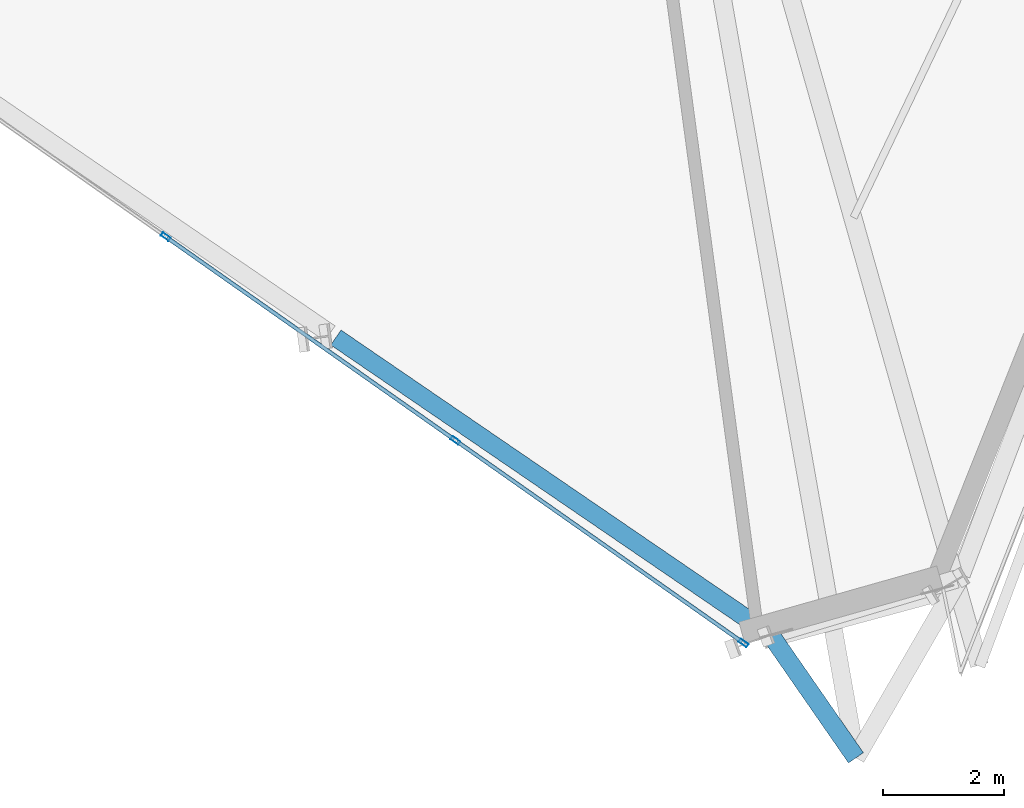
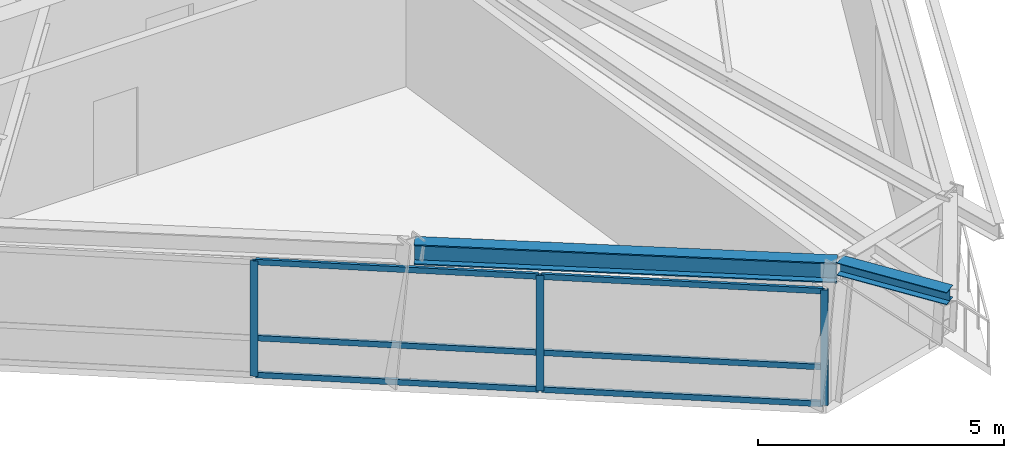
# One storey, part 3 of 13: 9 members, 2 beams, 1 element without a shape of its own.
"""IFC4 building model written with IfcOpenShell, lengths in metres."""

from ifc_helpers import new_model, si_unit, direction, frame, origin, origin_2d, place, context, subcontext, project, spatial, hollow_rectangle, i_section, extrude, source, transform, mapped, material, material_profile, profile_set, type_object, element, aggregate, save


model = new_model("IFC4")

# Units and contexts
model_context = context("Model", 3, precision=1e-05, world=origin(), true_north=direction((0.0, 1.0)))
body_context = subcontext(model_context, "Body", "Model", "MODEL_VIEW")
ifc_project = project(units=[si_unit("LENGTHUNIT", "METRE"), si_unit("AREAUNIT", "SQUARE_METRE"), si_unit("VOLUMEUNIT", "CUBIC_METRE"), si_unit("PLANEANGLEUNIT", "RADIAN"), si_unit("MASSUNIT", "GRAM", prefix="KILO")], contexts=[model_context])

# Site, building, storey
site_placement = place(None, origin())
site = spatial("IfcSite", under=ifc_project, at=site_placement, CompositionType="ELEMENT")
building_placement = place(site_placement, origin())
building = spatial("IfcBuilding", under=site, at=building_placement, Name="Olszyna Solenne Hotel", CompositionType="ELEMENT")
storey_placement = place(building_placement, frame((0.0, 0.0, 238.10009765625)))
storey = spatial("IfcBuildingStorey", under=building, at=storey_placement, Name="L63", CompositionType="ELEMENT", Elevation=238.10009765625)

# Beams
ifc_material_1 = material(Name="Steel S355J2", Category="steel")
ifc_material_profile_1 = material_profile(ifc_material_1, i_section(OverallWidth=0.300048828125, OverallDepth=0.5, WebThickness=0.014404296875, FlangeThickness=0.028076171875, at=origin_2d()), Name="HEB 500", Category="load-bearing")
ifc_profile_set_1 = profile_set([ifc_material_profile_1], Name="Steel S355J2")
beam_type_1 = type_object("IfcBeamType", Name="BM-S3", PredefinedType="BEAM", material=ifc_profile_set_1)
shared_shape_1 = source(origin(), body_context, "Body", "SweptSolid", [
    extrude(i_section(OverallWidth=0.300048828125, OverallDepth=0.5, WebThickness=0.014404296875, FlangeThickness=0.028076171875, at=origin_2d()), origin(), (0.0, 0.0, 1.0), 8.6328125),
])
beam_1_placement = place(storey_placement, frame((34.18115234375, 8.104248046875, 3.1298828125), z_axis=(0.825448744127, -0.564477077319, 0.0), x_axis=(0.564477077319, 0.825448744127, 0.0)))
element("IfcBeam", 1, at=beam_1_placement, inside=storey, type_object=beam_type_1, Name="Perimeter spandrel beam BM-S3 B-L63-1861", PredefinedType="BEAM", context=body_context, shape_type="MappedRepresentation", body=[
    mapped(shared_shape_1, transform((0.0, 0.0, 0.0), x_axis=(1.0, 0.0, 0.0), y_axis=(0.0, 1.0, 0.0), z_axis=(0.0, 0.0, 1.0), scale=1.0)),
])
ifc_material_profile_2 = material_profile(ifc_material_1, i_section(OverallWidth=0.300048828125, OverallDepth=0.31005859375, WebThickness=0.009033203125, FlangeThickness=0.015380859375, at=origin_2d()), Name="HEA 320", Category="load-bearing")
ifc_profile_set_2 = profile_set([ifc_material_profile_2], Name="Steel S355J2")
beam_type_2 = type_object("IfcBeamType", Name="BM-G3", PredefinedType="BEAM", material=ifc_profile_set_2)
shared_shape_2 = source(origin(), body_context, "Body", "SweptSolid", [
    extrude(i_section(OverallWidth=0.300048828125, OverallDepth=0.31005859375, WebThickness=0.009033203125, FlangeThickness=0.015380859375, at=origin_2d()), origin(), (0.0, 0.0, 1.0), 2.4716796875),
])
beam_2_placement = place(storey_placement, frame((41.356689453125, 3.197509765625, 3.224853515625), z_axis=(0.569857003571, -0.821743874624, 0.0), x_axis=(0.821743874624, 0.569857003571, 0.0)))
element("IfcBeam", 2, at=beam_2_placement, inside=storey, type_object=beam_type_2, Name="Prism side edge beam BM-G3 B-L63-1875", PredefinedType="BEAM", context=body_context, shape_type="MappedRepresentation", body=[
    mapped(shared_shape_2, transform((0.0, 0.0, 0.0), x_axis=(1.0, 0.0, 0.0), y_axis=(0.0, 1.0, 0.0), z_axis=(0.0, 0.0, 1.0), scale=1.0)),
])

# Curtain wall, members
ifc_material_2 = material(Name="Anodised bronze aluminium", Category="aluminium")
curtain_wall_type = type_object("IfcCurtainWallType", Name="CW-SYS-4", PredefinedType="NOTDEFINED", material=ifc_material_2)
curtain_wall_placement = place(storey_placement, origin())
curtain_wall = element("IfcCurtainWall", 3, at=curtain_wall_placement, inside=storey, type_object=curtain_wall_type, Name="Unitised curtain wall CW-SYS-4 CW-L63-01", PredefinedType="NOTDEFINED")
ifc_material_profile_3 = material_profile(ifc_material_2, hollow_rectangle(XDim=0.06494140625, YDim=0.159912109375, WallThickness=0.00390625, at=origin_2d()), Name="MULL 160x65x4", Category="load-bearing")
ifc_profile_set_3 = profile_set([ifc_material_profile_3], Name="Anodised bronze aluminium")
member_type_1 = type_object("IfcMemberType", Name="CW-M3", PredefinedType="MULLION", material=ifc_profile_set_3)
shared_shape_3 = source(origin(), body_context, "Body", "SweptSolid", [
    extrude(hollow_rectangle(XDim=0.06494140625, YDim=0.159912109375, WallThickness=0.00390625, at=origin_2d()), origin(), (0.0, 0.0, 1.0), 2.871826171875),
])
member_1_placement = place(storey_placement, frame((31.37158203125, 9.7685546875, 0.0), z_axis=(0.0, 0.0, 1.0), x_axis=(0.575174009483, 0.818031086705, 0.0)))
member_1 = element("IfcMember", 4, at=member_1_placement, type_object=member_type_1, Name="Curtain-wall mullion CW-M3 CM-L63-01-02", PredefinedType="MULLION", context=body_context, shape_type="MappedRepresentation", body=[
    mapped(shared_shape_3, transform((0.0, 0.0, 0.0), x_axis=(1.0, 0.0, 0.0), y_axis=(0.0, 1.0, 0.0), z_axis=(0.0, 0.0, 1.0), scale=1.0)),
])
member_2_placement = place(storey_placement, frame((36.153564453125, 6.40625, 0.0), z_axis=(0.0, 0.0, 1.0), x_axis=(0.575174009483, 0.818031086705, 0.0)))
member_2 = element("IfcMember", 5, at=member_2_placement, type_object=member_type_1, Name="Curtain-wall mullion CW-M3 CM-L63-01-03", PredefinedType="MULLION", context=body_context, shape_type="MappedRepresentation", body=[
    mapped(shared_shape_3, transform((0.0, 0.0, 0.0), x_axis=(1.0, 0.0, 0.0), y_axis=(0.0, 1.0, 0.0), z_axis=(0.0, 0.0, 1.0), scale=1.0)),
])
member_3_placement = place(storey_placement, frame((40.908935546875, 3.0625, 0.0), z_axis=(0.0, 0.0, 1.0), x_axis=(0.575174009483, 0.818031086705, 0.0)))
member_3 = element("IfcMember", 6, at=member_3_placement, type_object=member_type_1, Name="Curtain-wall mullion CW-M3 CM-L63-01-04", PredefinedType="MULLION", context=body_context, shape_type="MappedRepresentation", body=[
    mapped(shared_shape_3, transform((0.0, 0.0, 0.0), x_axis=(1.0, 0.0, 0.0), y_axis=(0.0, 1.0, 0.0), z_axis=(0.0, 0.0, 1.0), scale=1.0)),
])
ifc_material_profile_4 = material_profile(ifc_material_2, hollow_rectangle(XDim=0.06494140625, YDim=0.139892578125, WallThickness=0.00390625, at=origin_2d()), Name="TRAN 140x65x4", Category="load-bearing")
ifc_profile_set_4 = profile_set([ifc_material_profile_4], Name="Anodised bronze aluminium")
member_type_2 = type_object("IfcMemberType", Name="CW-T2", PredefinedType="USERDEFINED", material=ifc_profile_set_4)
shared_shape_4 = source(origin(), body_context, "Body", "SweptSolid", [
    extrude(hollow_rectangle(XDim=0.06494140625, YDim=0.139892578125, WallThickness=0.00390625, at=origin_2d()), origin(), (0.0, 0.0, 1.0), 5.748291015625),
])
member_4_placement = place(storey_placement, frame((36.18017578125, 6.3876953125, 0.032470703125), z_axis=(0.818012921375, -0.575199843935, 0.0), x_axis=(0.575199843935, 0.818012921375, 0.0)))
member_4 = element("IfcMember", 7, at=member_4_placement, type_object=member_type_2, Name="Curtain-wall transom CW-T2 CT-L63-01-07", ObjectType="TRANSOM", PredefinedType="USERDEFINED", context=body_context, shape_type="MappedRepresentation", body=[
    mapped(shared_shape_4, transform((0.0, 0.0, 0.0), x_axis=(1.0, 0.0, 0.0), y_axis=(0.0, 1.0, 0.0), z_axis=(0.0, 0.0, 1.0), scale=1.0)),
])
member_5_placement = place(storey_placement, frame((36.18017578125, 6.3876953125, 0.949951171875), z_axis=(0.818012921375, -0.575199843935, 0.0), x_axis=(0.575199843935, 0.818012921375, 0.0)))
member_5 = element("IfcMember", 8, at=member_5_placement, type_object=member_type_2, Name="Curtain-wall transom CW-T2 CT-L63-01-08", ObjectType="TRANSOM", PredefinedType="USERDEFINED", context=body_context, shape_type="MappedRepresentation", body=[
    mapped(shared_shape_4, transform((0.0, 0.0, 0.0), x_axis=(1.0, 0.0, 0.0), y_axis=(0.0, 1.0, 0.0), z_axis=(0.0, 0.0, 1.0), scale=1.0)),
])
member_6_placement = place(storey_placement, frame((36.18017578125, 6.3876953125, 2.83935546875), z_axis=(0.818012921375, -0.575199843935, 0.0), x_axis=(0.575199843935, 0.818012921375, 0.0)))
member_6 = element("IfcMember", 9, at=member_6_placement, type_object=member_type_2, Name="Curtain-wall transom CW-T2 CT-L63-01-09", ObjectType="TRANSOM", PredefinedType="USERDEFINED", context=body_context, shape_type="MappedRepresentation", body=[
    mapped(shared_shape_4, transform((0.0, 0.0, 0.0), x_axis=(1.0, 0.0, 0.0), y_axis=(0.0, 1.0, 0.0), z_axis=(0.0, 0.0, 1.0), scale=1.0)),
])
shared_shape_5 = source(origin(), body_context, "Body", "SweptSolid", [
    extrude(hollow_rectangle(XDim=0.06494140625, YDim=0.139892578125, WallThickness=0.00390625, at=origin_2d()), origin(), (0.0, 0.0, 1.0), 5.781005859375),
])
member_7_placement = place(storey_placement, frame((31.39794921875, 9.75, 0.032470703125), z_axis=(0.818039714599, -0.575161738417, 0.0), x_axis=(0.575161738417, 0.818039714599, 0.0)))
member_7 = element("IfcMember", 10, at=member_7_placement, type_object=member_type_2, Name="Curtain-wall transom CW-T2 CT-L63-01-04", ObjectType="TRANSOM", PredefinedType="USERDEFINED", context=body_context, shape_type="MappedRepresentation", body=[
    mapped(shared_shape_5, transform((0.0, 0.0, 0.0), x_axis=(1.0, 0.0, 0.0), y_axis=(0.0, 1.0, 0.0), z_axis=(0.0, 0.0, 1.0), scale=1.0)),
])
member_8_placement = place(storey_placement, frame((31.39794921875, 9.75, 0.949951171875), z_axis=(0.818039714599, -0.575161738417, 0.0), x_axis=(0.575161738417, 0.818039714599, 0.0)))
member_8 = element("IfcMember", 11, at=member_8_placement, type_object=member_type_2, Name="Curtain-wall transom CW-T2 CT-L63-01-05", ObjectType="TRANSOM", PredefinedType="USERDEFINED", context=body_context, shape_type="MappedRepresentation", body=[
    mapped(shared_shape_5, transform((0.0, 0.0, 0.0), x_axis=(1.0, 0.0, 0.0), y_axis=(0.0, 1.0, 0.0), z_axis=(0.0, 0.0, 1.0), scale=1.0)),
])
member_9_placement = place(storey_placement, frame((31.39794921875, 9.75, 2.83935546875), z_axis=(0.818039714599, -0.575161738417, 0.0), x_axis=(0.575161738417, 0.818039714599, 0.0)))
member_9 = element("IfcMember", 12, at=member_9_placement, type_object=member_type_2, Name="Curtain-wall transom CW-T2 CT-L63-01-06", ObjectType="TRANSOM", PredefinedType="USERDEFINED", context=body_context, shape_type="MappedRepresentation", body=[
    mapped(shared_shape_5, transform((0.0, 0.0, 0.0), x_axis=(1.0, 0.0, 0.0), y_axis=(0.0, 1.0, 0.0), z_axis=(0.0, 0.0, 1.0), scale=1.0)),
])
aggregate(curtain_wall, [member_1, member_2, member_3, member_7, member_8, member_9, member_4, member_5, member_6])

save(model, "model.ifc")
